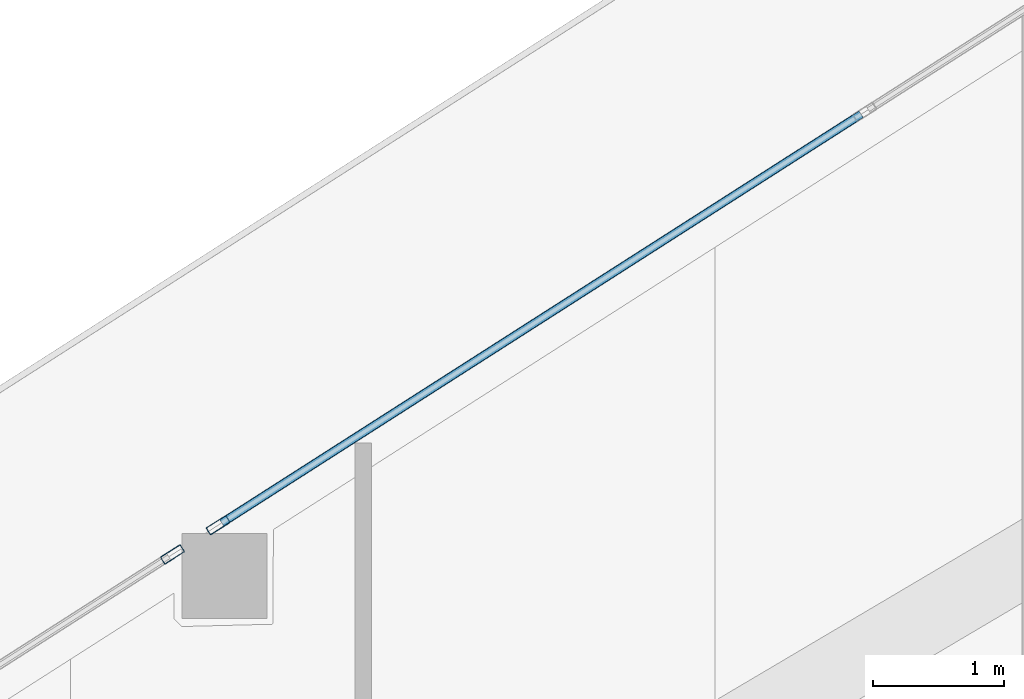
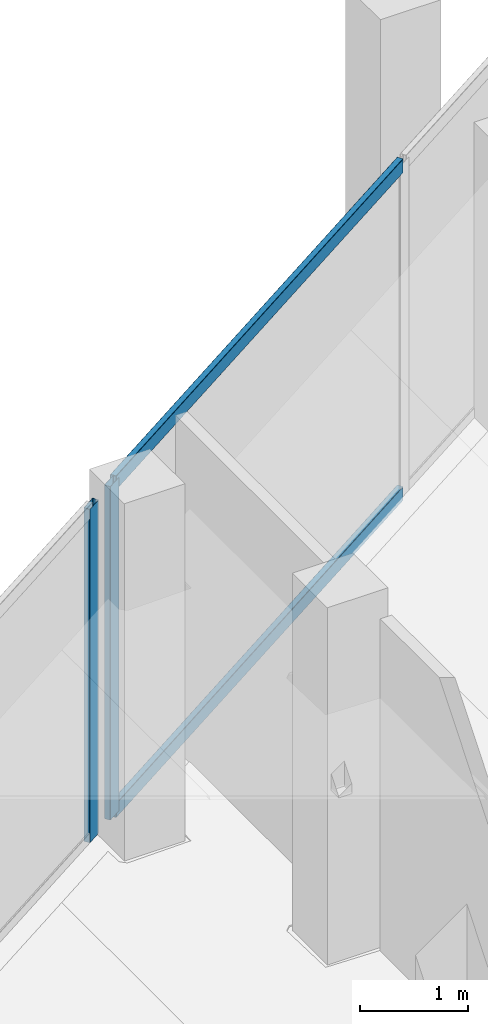
# One storey, part 18 of 39: 4 members, 2 elements without a shape of their own.
"""IFC4 building model written with IfcOpenShell, lengths in metres."""

from ifc_helpers import new_model, si_unit, direction, frame, origin, origin_2d, place, context, subcontext, project, spatial, hollow_rectangle, extrude, material, layer, layer_set, material_profile, profile_set, type_object, element, aggregate, save


model = new_model("IFC4")

# Units and contexts
model_context = context("Model", 3, precision=1e-05, world=origin(), true_north=direction((0.0, 1.0)))
body_context = subcontext(model_context, "Body", "Model", "MODEL_VIEW")
ifc_project = project(units=[si_unit("LENGTHUNIT", "METRE"), si_unit("AREAUNIT", "SQUARE_METRE"), si_unit("VOLUMEUNIT", "CUBIC_METRE"), si_unit("PLANEANGLEUNIT", "RADIAN"), si_unit("MASSUNIT", "GRAM", prefix="KILO")], contexts=[model_context])

# Site, building, storey
site_placement = place(None, origin())
site = spatial("IfcSite", under=ifc_project, at=site_placement, CompositionType="ELEMENT")
building_placement = place(site_placement, origin())
building = spatial("IfcBuilding", under=site, at=building_placement, Name="Qorvath Tower", CompositionType="ELEMENT")
storey_placement = place(building_placement, frame((0.0, 0.0, 162.449951171875)))
storey = spatial("IfcBuildingStorey", under=building, at=storey_placement, Name="L37", CompositionType="ELEMENT", Elevation=162.449951171875)

# Curtain wall, member
ifc_material_1 = material(Name="Anodised aluminium and triple low-E glass", Category="aluminium")
ifc_layer = layer(ifc_material_1, 0.179931640625)
ifc_layer_set = layer_set([ifc_layer], Name="CW-SYS-3")
curtain_wall_type = type_object("IfcCurtainWallType", Name="CW-SYS-3", PredefinedType="NOTDEFINED", material=ifc_layer_set)
curtain_wall_1_placement = place(storey_placement, origin())
curtain_wall_1 = element("IfcCurtainWall", 1, at=curtain_wall_1_placement, inside=storey, type_object=curtain_wall_type, Name="Curtain Wall CW-3 CW-T-L37-16.1", PredefinedType="NOTDEFINED")
ifc_material_2 = material(Name="Anodised aluminium 6063-T6", Category="aluminium")
ifc_material_profile_1 = material_profile(ifc_material_2, hollow_rectangle(XDim=0.06494140625, YDim=0.179931640625, WallThickness=0.00341796875, InnerFilletRadius=0.00341796875, OuterFilletRadius=0.007080078125, at=origin_2d()), Name="CWM 180x65")
ifc_profile_set_1 = profile_set([ifc_material_profile_1], Name="Anodised aluminium 6063-T6")
member_type_1 = type_object("IfcMemberType", Name="CWM-180", PredefinedType="MULLION", material=ifc_profile_set_1)
member_1_placement = place(storey_placement, frame((-31.06494140625, 19.847900390625, 0.0), z_axis=(0.0, 0.0, 1.0), x_axis=(0.53853971351, -0.842600128752, 0.0)))
member_1 = element("IfcMember", 2, at=member_1_placement, type_object=member_type_1, Name="CW-3 mullion 4", PredefinedType="MULLION", context=body_context, shape_type="SweptSolid", body=[
    extrude(hollow_rectangle(XDim=0.06494140625, YDim=0.179931640625, WallThickness=0.00341796875, InnerFilletRadius=0.00341796875, OuterFilletRadius=0.007080078125, at=origin_2d()), origin(), (0.0, 0.0, 1.0), 3.780029296875),
])

curtain_wall_2_placement = place(storey_placement, origin())
curtain_wall_2 = element("IfcCurtainWall", 3, at=curtain_wall_2_placement, inside=storey, type_object=curtain_wall_type, Name="Curtain Wall CW-3 CW-T-L37-16.2", PredefinedType="NOTDEFINED")
member_2_placement = place(storey_placement, frame((-31.413330078125, 19.625, 0.0), z_axis=(0.0, 0.0, 1.0), x_axis=(0.53853949052, -0.842600271273, 0.0)))
member_2 = element("IfcMember", 4, at=member_2_placement, type_object=member_type_1, Name="CW-3 mullion 1", PredefinedType="MULLION", context=body_context, shape_type="SweptSolid", body=[
    extrude(hollow_rectangle(XDim=0.06494140625, YDim=0.179931640625, WallThickness=0.00341796875, InnerFilletRadius=0.00341796875, OuterFilletRadius=0.007080078125, at=origin_2d()), origin(), (0.0, 0.0, 1.0), 3.780029296875),
])
aggregate(curtain_wall_2, [member_2])

# Member
ifc_material_3 = material(Name="Anodised aluminium 6063-T6", Category="aluminium")
ifc_material_profile_2 = material_profile(ifc_material_3, hollow_rectangle(XDim=0.06494140625, YDim=0.159912109375, WallThickness=0.00341796875, InnerFilletRadius=0.00341796875, OuterFilletRadius=0.007080078125, at=origin_2d()), Name="CWT 160x65")
ifc_profile_set_2 = profile_set([ifc_material_profile_2], Name="Anodised aluminium 6063-T6")
member_type_2 = type_object("IfcMemberType", Name="CWT-160", PredefinedType="USERDEFINED", material=ifc_profile_set_2)
member_3_placement = place(storey_placement, frame((-26.162841796875, 22.98095703125, 0.032470703125), z_axis=(-0.842594665746, -0.538548260843, 0.0), x_axis=(0.538548260843, -0.842594665746, 0.0)))
member_3 = element("IfcMember", 5, at=member_3_placement, type_object=member_type_2, Name="CW-3 transom 3.1", ObjectType="TRANSOM", PredefinedType="USERDEFINED", context=body_context, shape_type="SweptSolid", body=[
    extrude(hollow_rectangle(XDim=0.06494140625, YDim=0.159912109375, WallThickness=0.00341796875, InnerFilletRadius=0.00341796875, OuterFilletRadius=0.007080078125, at=origin_2d()), origin(), (0.0, 0.0, 1.0), 5.785400390625),
])

member_4_placement = place(storey_placement, frame((-26.162841796875, 22.98095703125, 3.74755859375), z_axis=(-0.842594665746, -0.538548260843, 0.0), x_axis=(0.538548260843, -0.842594665746, 0.0)))
member_4 = element("IfcMember", 6, at=member_4_placement, type_object=member_type_2, Name="CW-3 transom 3.2", ObjectType="TRANSOM", PredefinedType="USERDEFINED", context=body_context, shape_type="SweptSolid", body=[
    extrude(hollow_rectangle(XDim=0.06494140625, YDim=0.159912109375, WallThickness=0.00341796875, InnerFilletRadius=0.00341796875, OuterFilletRadius=0.007080078125, at=origin_2d()), origin(), (0.0, 0.0, 1.0), 5.785400390625),
])

aggregate(curtain_wall_1, [member_1, member_3, member_4])

save(model, "model.ifc")
